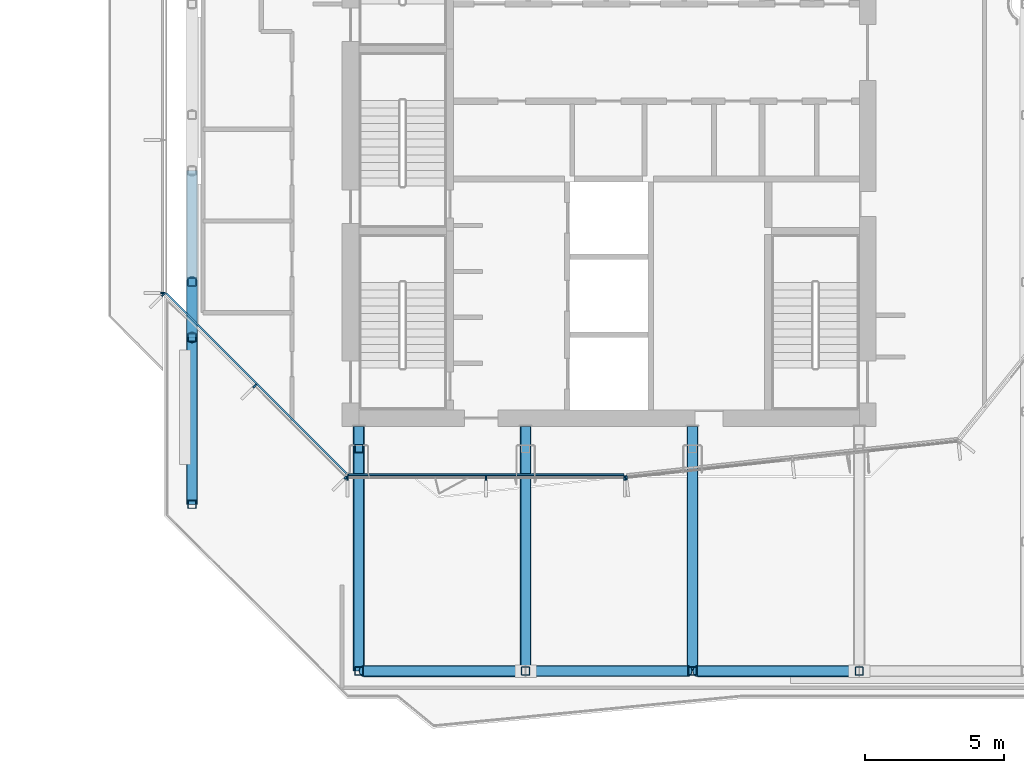
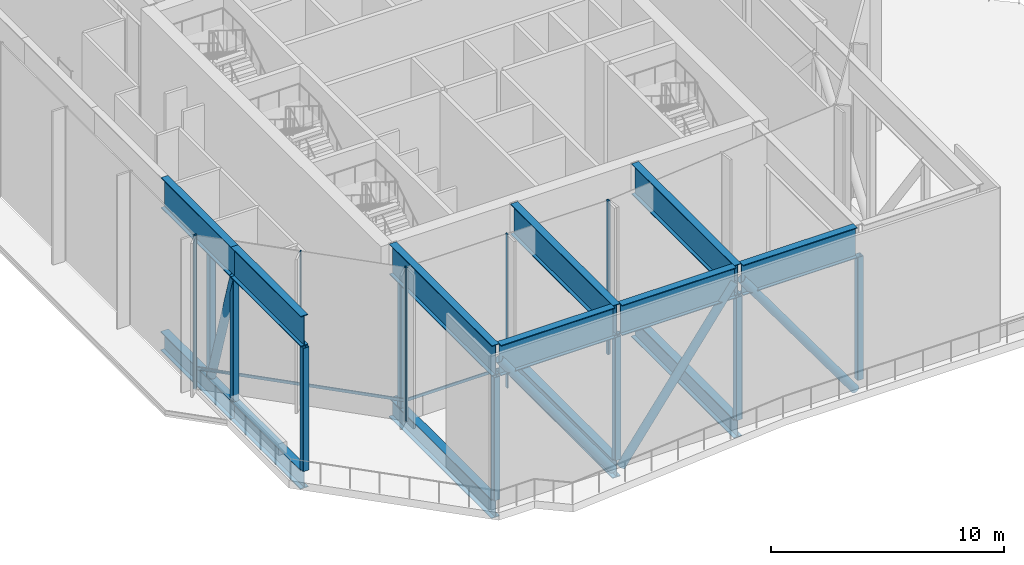
# One storey, part 1 of 22: 32 members, 3 beams, 4 elements without a shape of their own.
"""IFC4 building model written with IfcOpenShell, lengths in metres."""

from ifc_helpers import new_model, si_unit, direction, frame, origin, origin_2d, place, context, subcontext, project, spatial, rectangle, hollow_rectangle, hollow_circle, i_section, extrude, material, layer, layer_set, material_profile, profile_set, type_object, element, aggregate, save


model = new_model("IFC4")

# Units and contexts
model_context = context("Model", 3, precision=1e-05, world=origin(), true_north=direction((0.0, 1.0)))
body_context = subcontext(model_context, "Body", "Model", "MODEL_VIEW")
ifc_project = project(units=[si_unit("LENGTHUNIT", "METRE"), si_unit("AREAUNIT", "SQUARE_METRE"), si_unit("VOLUMEUNIT", "CUBIC_METRE"), si_unit("PLANEANGLEUNIT", "RADIAN"), si_unit("MASSUNIT", "GRAM", prefix="KILO")], contexts=[model_context])

# Site, building, storey
site_placement = place(None, origin())
site = spatial("IfcSite", under=ifc_project, at=site_placement, CompositionType="ELEMENT")
building_placement = place(site_placement, origin())
building = spatial("IfcBuilding", under=site, at=building_placement, Name="Welwitschia Terrace Campus", CompositionType="ELEMENT")
storey_placement = place(building_placement, frame((0.0, 0.0, 197.0)))
storey = spatial("IfcBuildingStorey", under=building, at=storey_placement, Name="L44", CompositionType="ELEMENT", Elevation=197.0)

# Curtain wall, member
ifc_material_1 = material(Name="Bronze anodised aluminium", Category="aluminium")
ifc_layer = layer(ifc_material_1, 0.159912109375)
ifc_layer_set = layer_set([ifc_layer], Name="Bronze anodised aluminium")
curtain_wall_type = type_object("IfcCurtainWallType", Name="Curtain wall CW3 commons 6000", PredefinedType="NOTDEFINED", material=ifc_layer_set)
curtain_wall_1_placement = place(storey_placement, origin())
curtain_wall_1 = element("IfcCurtainWall", 1, at=curtain_wall_1_placement, inside=storey, type_object=curtain_wall_type, Name="CW L44.9.0", PredefinedType="NOTDEFINED")
ifc_material_2 = material(Name="Bronze anodised aluminium", Category="aluminium")
ifc_material_profile_1 = material_profile(ifc_material_2, rectangle(XDim=0.159912109375, YDim=0.06005859375, at=origin_2d()))
ifc_profile_set_1 = profile_set([ifc_material_profile_1], Name="Bronze anodised aluminium")
member_type_1 = type_object("IfcMemberType", Name="Mullion 60x160", PredefinedType="MULLION", material=ifc_profile_set_1)
member_1_placement = place(storey_placement, frame((-1.050048828125, 9.594970703125, 0.0), z_axis=(0.0, 0.0, 1.0), x_axis=(1.0, 0.0, 0.0)))
member_1 = element("IfcMember", 2, at=member_1_placement, type_object=member_type_1, Name="Mullion L44.9.0.4", PredefinedType="MULLION", context=body_context, shape_type="SweptSolid", body=[
    extrude(rectangle(XDim=0.159912109375, YDim=0.06005859375, at=origin_2d()), origin(), (0.0, 0.0, 1.0), 8.050048828125),
])
aggregate(curtain_wall_1, [member_1])

# Curtain wall, members
curtain_wall_2_placement = place(storey_placement, origin())
curtain_wall_2 = element("IfcCurtainWall", 3, at=curtain_wall_2_placement, inside=storey, type_object=curtain_wall_type, Name="CW L44.10.0", PredefinedType="NOTDEFINED")
member_2_placement = place(storey_placement, frame((-1.02880859375, 9.5439453125, 0.0), z_axis=(0.0, 0.0, 1.0), x_axis=(0.707106781187, 0.707106781187, 0.0)))
member_2 = element("IfcMember", 4, at=member_2_placement, type_object=member_type_1, Name="Mullion L44.10.0.0", PredefinedType="MULLION", context=body_context, shape_type="SweptSolid", body=[
    extrude(rectangle(XDim=0.159912109375, YDim=0.06005859375, at=origin_2d()), origin(), (0.0, 0.0, 1.0), 8.050048828125),
])
member_3_placement = place(storey_placement, frame((2.257568359375, 6.257568359375, 0.0), z_axis=(0.0, 0.0, 1.0), x_axis=(0.707106781187, 0.707106781187, 0.0)))
member_3 = element("IfcMember", 5, at=member_3_placement, type_object=member_type_1, Name="Mullion L44.10.0.1", PredefinedType="MULLION", context=body_context, shape_type="SweptSolid", body=[
    extrude(rectangle(XDim=0.159912109375, YDim=0.06005859375, at=origin_2d()), origin(), (0.0, 0.0, 1.0), 8.050048828125),
])
member_4_placement = place(storey_placement, frame((5.5439453125, 2.97119140625, 0.0), z_axis=(0.0, 0.0, 1.0), x_axis=(0.707106781187, 0.707106781187, 0.0)))
member_4 = element("IfcMember", 6, at=member_4_placement, type_object=member_type_1, Name="Mullion L44.10.0.2", PredefinedType="MULLION", context=body_context, shape_type="SweptSolid", body=[
    extrude(rectangle(XDim=0.159912109375, YDim=0.06005859375, at=origin_2d()), origin(), (0.0, 0.0, 1.0), 8.050048828125),
])

curtain_wall_3_placement = place(storey_placement, origin())
curtain_wall_3 = element("IfcCurtainWall", 7, at=curtain_wall_3_placement, inside=storey, type_object=curtain_wall_type, Name="CW L44.11.0", PredefinedType="NOTDEFINED")
member_5_placement = place(storey_placement, frame((5.594970703125, 2.949951171875, 0.0), z_axis=(0.0, 0.0, 1.0), x_axis=(0.0, 1.0, 0.0)))
member_5 = element("IfcMember", 8, at=member_5_placement, type_object=member_type_1, Name="Mullion L44.11.0.0", PredefinedType="MULLION", context=body_context, shape_type="SweptSolid", body=[
    extrude(rectangle(XDim=0.159912109375, YDim=0.06005859375, at=origin_2d()), origin(), (0.0, 0.0, 1.0), 8.050048828125),
])
member_6_placement = place(storey_placement, frame((10.578857421875, 2.949951171875, 0.0), z_axis=(0.0, 0.0, 1.0), x_axis=(0.0, 1.0, 0.0)))
member_6 = element("IfcMember", 9, at=member_6_placement, type_object=member_type_1, Name="Mullion L44.11.0.1", PredefinedType="MULLION", context=body_context, shape_type="SweptSolid", body=[
    extrude(rectangle(XDim=0.159912109375, YDim=0.06005859375, at=origin_2d()), origin(), (0.0, 0.0, 1.0), 8.050048828125),
])
member_7_placement = place(storey_placement, frame((15.5625, 2.949951171875, 0.0), z_axis=(0.0, 0.0, 1.0), x_axis=(0.0, 1.0, 0.0)))
member_7 = element("IfcMember", 10, at=member_7_placement, type_object=member_type_1, Name="Mullion L44.11.0.2", PredefinedType="MULLION", context=body_context, shape_type="SweptSolid", body=[
    extrude(rectangle(XDim=0.159912109375, YDim=0.06005859375, at=origin_2d()), origin(), (0.0, 0.0, 1.0), 8.050048828125),
])

# Curtain wall, member
curtain_wall_4_placement = place(storey_placement, origin())
curtain_wall_4 = element("IfcCurtainWall", 11, at=curtain_wall_4_placement, inside=storey, type_object=curtain_wall_type, Name="CW L44.12.0", PredefinedType="NOTDEFINED")
member_8_placement = place(storey_placement, frame((15.622314453125, 2.953369140625, 0.0), z_axis=(0.0, 0.0, 1.0), x_axis=(-0.108866874852, 0.994056338222, 0.0)))
member_8 = element("IfcMember", 12, at=member_8_placement, type_object=member_type_1, Name="Mullion L44.12.0.0", PredefinedType="MULLION", context=body_context, shape_type="SweptSolid", body=[
    extrude(rectangle(XDim=0.159912109375, YDim=0.06005859375, at=origin_2d()), origin(), (0.0, 0.0, 1.0), 8.050048828125),
])
aggregate(curtain_wall_4, [member_8])

# Members
ifc_material_3 = material(Name="Steel S355", Category="steel")
ifc_material_profile_2 = material_profile(ifc_material_3, hollow_circle(Radius=0.203125, WallThickness=0.01611328125, at=origin_2d()))
ifc_profile_set_2 = profile_set([ifc_material_profile_2], Name="Steel S355")
member_type_2 = type_object("IfcMemberType", Name="Tip edge diagonal C3 CHS 406.4x16", PredefinedType="BRACE", material=ifc_profile_set_2)
for number, where, z_axis, x_axis, name in (
    (13, (11.800048828125, -4.0, -0.5), (-0.5873952889, 0.0, 0.809300175818), (0.0, -1.0, 0.0), "Truss diagonal"),
    (14, (12.199951171875, -4.0, -0.5), (0.5873952889, 0.0, 0.809300175818), (0.0, 1.0, 0.0), "Truss diagonal"),
    (15, (23.800048828125, -4.0, -0.5), (-0.5873952889, 0.0, 0.809300175818), (0.0, -1.0, 0.0), "Truss diagonal"),
):
    element("IfcMember", number, at=place(storey_placement, frame(where, z_axis=z_axis, x_axis=x_axis)), inside=storey, type_object=member_type_2, Name=name, PredefinedType="BRACE", context=body_context, shape_type="SweptSolid", body=[
        extrude(hollow_circle(Radius=0.203125, WallThickness=0.01611328125, at=origin_2d()), origin(), (0.0, 0.0, 1.0), 9.576171875),
    ])

# Beams
ifc_material_4 = material(Name="Steel S355", Category="steel")
ifc_material_profile_3 = material_profile(ifc_material_4, i_section(OverallWidth=0.35009765625, OverallDepth=1.60009765625, WebThickness=0.02490234375, FlangeThickness=0.0400390625, at=origin_2d()))
ifc_profile_set_3 = profile_set([ifc_material_profile_3], Name="Steel S355")
beam_type = type_object("IfcBeamType", Name="Tip edge girder C3 top WI 1600x350x25x40", PredefinedType="BEAM", material=ifc_profile_set_3)
for number, where, z_axis, x_axis, name in (
    (16, (6.175048828125, -4.0, 7.25), (1.0, 0.0, 0.0), (0.0, 1.0, 0.0), "Tip edge girder"),
    (17, (12.175048828125, -4.0, 7.25), (1.0, 0.0, 0.0), (0.0, 1.0, 0.0), "Tip edge girder"),
    (18, (18.175048828125, -4.0, 7.25), (1.0, 0.0, 0.0), (0.0, 1.0, 0.0), "Tip edge girder"),
):
    element("IfcBeam", number, at=place(storey_placement, frame(where, z_axis=z_axis, x_axis=x_axis)), inside=storey, type_object=beam_type, Name=name, PredefinedType="BEAM", context=body_context, shape_type="SweptSolid", body=[
        extrude(i_section(OverallWidth=0.35009765625, OverallDepth=1.60009765625, WebThickness=0.02490234375, FlangeThickness=0.0400390625, at=origin_2d()), origin(), (0.0, 0.0, 1.0), 5.64990234375),
    ])

# Members
ifc_material_5 = material(Name="Steel S355", Category="steel")
ifc_material_profile_4 = material_profile(ifc_material_5, i_section(OverallWidth=0.39990234375, OverallDepth=1.0, WebThickness=0.02490234375, FlangeThickness=0.0400390625, at=origin_2d()))
ifc_profile_set_4 = profile_set([ifc_material_profile_4], Name="Steel S355")
member_type_3 = type_object("IfcMemberType", Name="Transfer truss C3 bottom chord WI 1000x400x25x40", PredefinedType="CHORD", material=ifc_profile_set_4)
for number, where, z_axis, x_axis, name in (
    (19, (0.0, 2.0, -0.5), (0.0, 1.0, 0.0), (-1.0, 0.0, 0.0), "Truss bottom chord"),
    (20, (0.0, 8.0, -0.5), (0.0, 1.0, 0.0), (-1.0, 0.0, 0.0), "Truss bottom chord"),
):
    element("IfcMember", number, at=place(storey_placement, frame(where, z_axis=z_axis, x_axis=x_axis)), inside=storey, type_object=member_type_3, Name=name, PredefinedType="CHORD", context=body_context, shape_type="SweptSolid", body=[
        extrude(i_section(OverallWidth=0.39990234375, OverallDepth=1.0, WebThickness=0.02490234375, FlangeThickness=0.0400390625, at=origin_2d()), origin(), (0.0, 0.0, 1.0), 6.0),
    ])
for number, where, z_axis, x_axis, name in (
    (21, (6.0, -4.0, -0.5), (0.0, 1.0, 0.0), (-1.0, 0.0, 0.0), "Truss bottom chord"),
    (22, (12.0, -4.0, -0.5), (0.0, 1.0, 0.0), (-1.0, 0.0, 0.0), "Truss bottom chord"),
    (23, (18.0, -4.0, -0.5), (0.0, 1.0, 0.0), (-1.0, 0.0, 0.0), "Truss bottom chord"),
):
    element("IfcMember", number, at=place(storey_placement, frame(where, z_axis=z_axis, x_axis=x_axis)), inside=storey, type_object=member_type_3, Name=name, PredefinedType="CHORD", context=body_context, shape_type="SweptSolid", body=[
        extrude(i_section(OverallWidth=0.39990234375, OverallDepth=1.0, WebThickness=0.02490234375, FlangeThickness=0.0400390625, at=origin_2d()), origin(), (0.0, 0.0, 1.0), 8.800048828125),
    ])
ifc_material_6 = material(Name="Steel S355", Category="steel")
ifc_material_profile_5 = material_profile(ifc_material_6, hollow_circle(Radius=0.203125, WallThickness=0.01611328125, at=origin_2d()))
ifc_profile_set_5 = profile_set([ifc_material_profile_5], Name="Steel S355")
member_type_4 = type_object("IfcMemberType", Name="Transfer truss C3 diagonal CHS 406.4x16", PredefinedType="BRACE", material=ifc_profile_set_5)
member_9_placement = place(storey_placement, frame((0.0, 10.0, 0.0), z_axis=(0.0, -0.296168365803, 0.955135749042), x_axis=(1.0, 0.0, 0.0)))
element("IfcMember", 24, at=member_9_placement, inside=storey, type_object=member_type_4, Name="Truss diagonal", PredefinedType="BRACE", context=body_context, shape_type="SweptSolid", body=[
    extrude(hollow_circle(Radius=0.203125, WallThickness=0.01611328125, at=origin_2d()), origin(), (0.0, 0.0, 1.0), 6.7529296875),
])
ifc_material_7 = material(Name="Steel S355", Category="steel")
ifc_material_profile_6 = material_profile(ifc_material_7, hollow_rectangle(XDim=0.300048828125, YDim=0.300048828125, WallThickness=0.01611328125, InnerFilletRadius=0.01611328125, OuterFilletRadius=0.02392578125, at=origin_2d()))
ifc_profile_set_6 = profile_set([ifc_material_profile_6], Name="Steel S355")
member_type_5 = type_object("IfcMemberType", Name="Transfer truss C3 post SHS 300x300x16", PredefinedType="POST", material=ifc_profile_set_6)
for number, where, z_axis, x_axis, name in (
    (25, (0.0, 2.0, 0.0), (0.0, 0.0, 1.0), (1.0, 0.0, 0.0), "Truss post"),
    (26, (0.0, 8.0, 0.0), (0.0, 0.0, 1.0), (1.0, 0.0, 0.0), "Truss post"),
    (27, (0.0, 10.0, 0.0), (0.0, 0.0, 1.0), (1.0, 0.0, 0.0), "Truss post"),
    (28, (6.0, -4.0, 0.0), (0.0, 0.0, 1.0), (1.0, 0.0, 0.0), "Truss post"),
    (29, (6.0, 4.0, 0.0), (0.0, 0.0, 1.0), (1.0, 0.0, 0.0), "Truss post"),
    (30, (12.0, -4.0, 0.0), (0.0, 0.0, 1.0), (1.0, 0.0, 0.0), "Truss post"),
    (31, (18.0, -4.0, 0.0), (0.0, 0.0, 1.0), (1.0, 0.0, 0.0), "Truss post"),
    (32, (24.0, -4.0, 0.0), (0.0, 0.0, 1.0), (1.0, 0.0, 0.0), "Truss post"),
):
    element("IfcMember", number, at=place(storey_placement, frame(where, z_axis=z_axis, x_axis=x_axis)), inside=storey, type_object=member_type_5, Name=name, PredefinedType="POST", context=body_context, shape_type="SweptSolid", body=[
        extrude(hollow_rectangle(XDim=0.300048828125, YDim=0.300048828125, WallThickness=0.01611328125, InnerFilletRadius=0.01611328125, OuterFilletRadius=0.02392578125, at=origin_2d()), origin(), (0.0, 0.0, 1.0), 6.449951171875),
    ])
ifc_material_8 = material(Name="Steel S355", Category="steel")
ifc_material_profile_7 = material_profile(ifc_material_8, i_section(OverallWidth=0.35009765625, OverallDepth=1.60009765625, WebThickness=0.02490234375, FlangeThickness=0.0400390625, at=origin_2d()))
ifc_profile_set_7 = profile_set([ifc_material_profile_7], Name="Steel S355")
member_type_6 = type_object("IfcMemberType", Name="Transfer truss C3 top chord WI 1600x350x25x40", PredefinedType="CHORD", material=ifc_profile_set_7)
for number, where, z_axis, x_axis, name in (
    (33, (0.0, 2.0, 7.25), (0.0, 1.0, 0.0), (-1.0, 0.0, 0.0), "Truss top chord"),
    (34, (0.0, 8.0, 7.25), (0.0, 1.0, 0.0), (-1.0, 0.0, 0.0), "Truss top chord"),
):
    element("IfcMember", number, at=place(storey_placement, frame(where, z_axis=z_axis, x_axis=x_axis)), inside=storey, type_object=member_type_6, Name=name, PredefinedType="CHORD", context=body_context, shape_type="SweptSolid", body=[
        extrude(i_section(OverallWidth=0.35009765625, OverallDepth=1.60009765625, WebThickness=0.02490234375, FlangeThickness=0.0400390625, at=origin_2d()), origin(), (0.0, 0.0, 1.0), 6.0),
    ])
for number, where, z_axis, x_axis, name in (
    (35, (6.0, -4.0, 7.25), (0.0, 1.0, 0.0), (-1.0, 0.0, 0.0), "Truss top chord"),
    (36, (12.0, -4.0, 7.25), (0.0, 1.0, 0.0), (-1.0, 0.0, 0.0), "Truss top chord"),
    (37, (18.0, -4.0, 7.25), (0.0, 1.0, 0.0), (-1.0, 0.0, 0.0), "Truss top chord"),
):
    element("IfcMember", number, at=place(storey_placement, frame(where, z_axis=z_axis, x_axis=x_axis)), inside=storey, type_object=member_type_6, Name=name, PredefinedType="CHORD", context=body_context, shape_type="SweptSolid", body=[
        extrude(i_section(OverallWidth=0.35009765625, OverallDepth=1.60009765625, WebThickness=0.02490234375, FlangeThickness=0.0400390625, at=origin_2d()), origin(), (0.0, 0.0, 1.0), 8.800048828125),
    ])

# Member
ifc_material_9 = material(Name="Bronze anodised aluminium", Category="aluminium")
ifc_material_profile_8 = material_profile(ifc_material_9, rectangle(XDim=0.06005859375, YDim=0.14990234375, at=origin_2d()))
ifc_profile_set_8 = profile_set([ifc_material_profile_8], Name="Bronze anodised aluminium")
member_type_7 = type_object("IfcMemberType", Name="Transom 60x150", PredefinedType="USERDEFINED", material=ifc_profile_set_8)
member_10_placement = place(storey_placement, frame((-0.9296875, 9.600341796875, 1.0), z_axis=(0.707106781187, -0.707106781187, 0.0), x_axis=(0.707106781187, 0.707106781187, 0.0)))
member_10 = element("IfcMember", 38, at=member_10_placement, type_object=member_type_7, Name="Transom L44.10.0", ObjectType="TRANSOM", PredefinedType="USERDEFINED", context=body_context, shape_type="SweptSolid", body=[
    extrude(rectangle(XDim=0.06005859375, YDim=0.14990234375, at=origin_2d()), origin(), (0.0, 0.0, 1.0), 9.23486328125),
])

aggregate(curtain_wall_2, [member_2, member_3, member_4, member_10])

member_11_placement = place(storey_placement, frame((5.625, 3.06005859375, 1.0), z_axis=(1.0, 0.0, 0.0), x_axis=(0.0, 1.0, 0.0)))
member_11 = element("IfcMember", 39, at=member_11_placement, type_object=member_type_7, Name="Transom L44.11.0", ObjectType="TRANSOM", PredefinedType="USERDEFINED", context=body_context, shape_type="SweptSolid", body=[
    extrude(rectangle(XDim=0.06005859375, YDim=0.14990234375, at=origin_2d()), origin(), (0.0, 0.0, 1.0), 9.907470703125),
])

aggregate(curtain_wall_3, [member_5, member_6, member_7, member_11])

save(model, "model.ifc")
